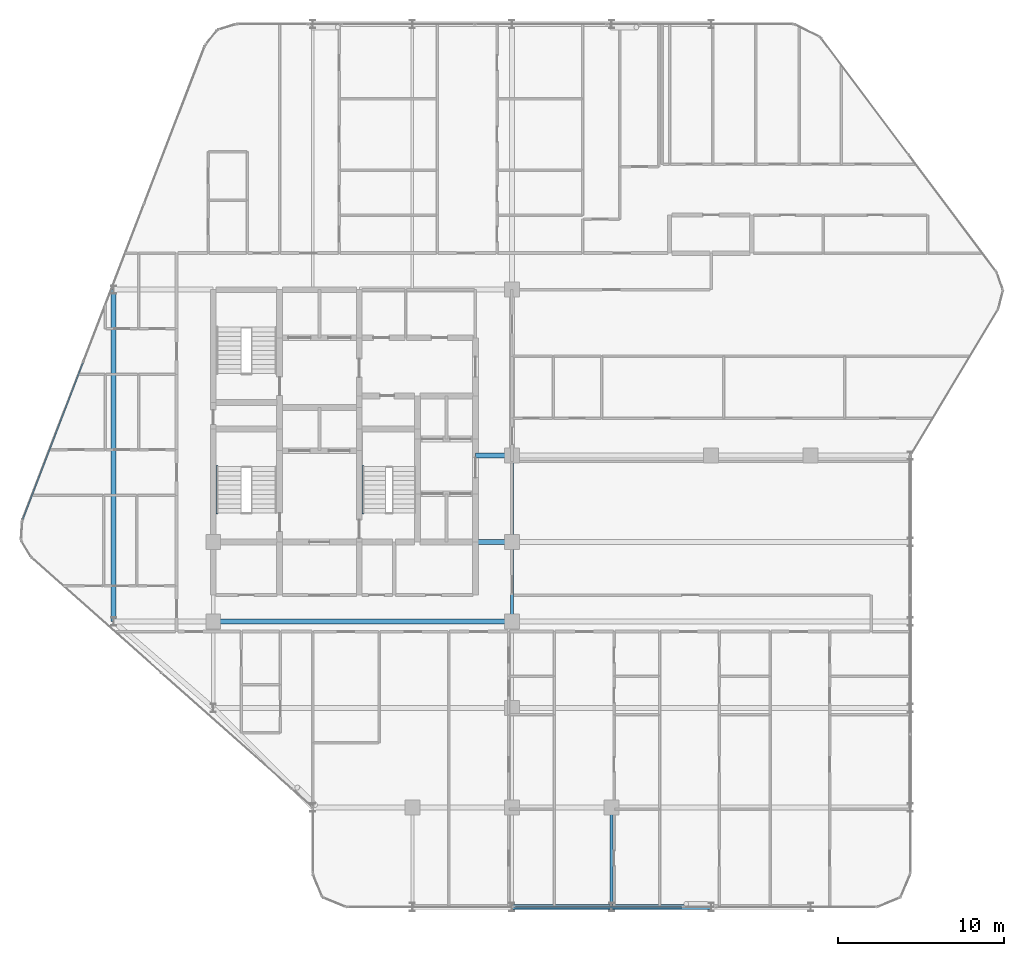
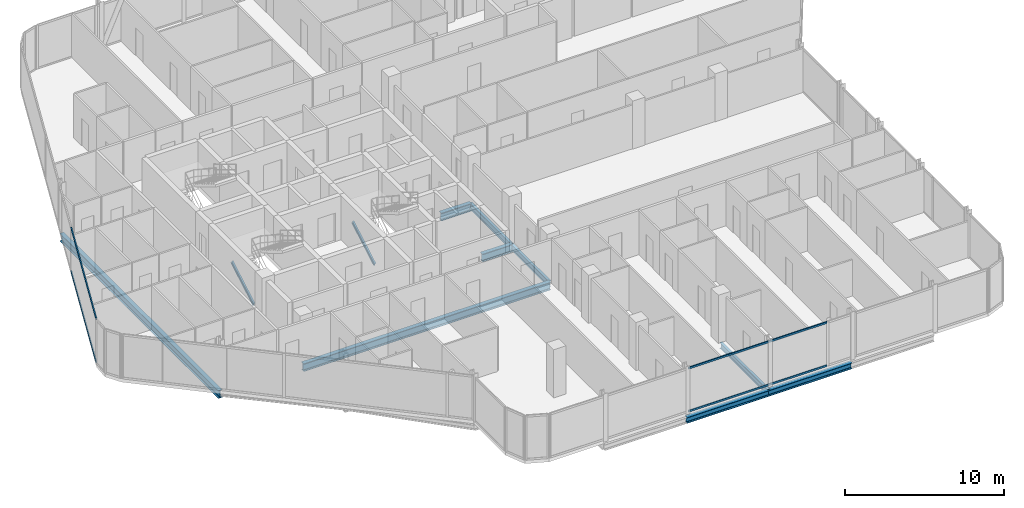
# One storey, part 8 of 32: 9 beams, 6 members, 2 elements without a shape of their own.
"""IFC4 building model written with IfcOpenShell, lengths in metres."""

from ifc_helpers import new_model, si_unit, direction, frame, origin, origin_2d, place, context, subcontext, project, spatial, hollow_rectangle, i_section, extrude, material, layer, layer_set, material_profile, profile_set, type_object, element, aggregate, save


model = new_model("IFC4")

# Units and contexts
model_context = context("Model", 3, precision=1e-05, world=origin(), true_north=direction((0.0, 1.0)))
body_context = subcontext(model_context, "Body", "Model", "MODEL_VIEW")
ifc_project = project(units=[si_unit("LENGTHUNIT", "METRE"), si_unit("AREAUNIT", "SQUARE_METRE"), si_unit("VOLUMEUNIT", "CUBIC_METRE"), si_unit("PLANEANGLEUNIT", "RADIAN"), si_unit("MASSUNIT", "GRAM", prefix="KILO")], contexts=[model_context])

# Site, building, storey
site_placement = place(None, origin())
site = spatial("IfcSite", under=ifc_project, at=site_placement, CompositionType="ELEMENT")
building_placement = place(site_placement, origin())
building = spatial("IfcBuilding", under=site, at=building_placement, Name="Keshet Zoharim Tower", CompositionType="ELEMENT")
storey_placement = place(building_placement, frame((0.0, 0.0, 152.0)))
storey = spatial("IfcBuildingStorey", under=building, at=storey_placement, Name="L37", CompositionType="ELEMENT", Elevation=152.0)

# Beams
ifc_material_1 = material(Name="Steel S355", Category="steel")
ifc_material_profile_1 = material_profile(ifc_material_1, i_section(OverallWidth=0.300048828125, OverallDepth=0.60009765625, WebThickness=0.015380859375, FlangeThickness=0.030029296875, FilletRadius=0.027099609375, at=origin_2d()), Name="HEB600")
ifc_profile_set_1 = profile_set([ifc_material_profile_1], Name="Steel S355")
beam_type_1 = type_object("IfcBeamType", Name="BM-CLK-HB600", PredefinedType="BEAM", material=ifc_profile_set_1)
for number, where, z_axis, x_axis, name in (
    (1, (30.800048828125, 22.699951171875, -0.614990234375), (1.0, 0.0, 0.0), (0.0, 1.0, 0.0), "L37 Core Wall Link Girder 01"),
    (2, (30.800048828125, 27.89990234375, -0.614990234375), (1.0, 0.0, 0.0), (0.0, 1.0, 0.0), "L37 Core Wall Link Girder 02"),
):
    element("IfcBeam", number, at=place(storey_placement, frame(where, z_axis=z_axis, x_axis=x_axis)), inside=storey, type_object=beam_type_1, Name=name, PredefinedType="BEAM", context=body_context, shape_type="SweptSolid", body=[
        extrude(i_section(OverallWidth=0.300048828125, OverallDepth=0.60009765625, WebThickness=0.015380859375, FlangeThickness=0.030029296875, FilletRadius=0.027099609375, at=origin_2d()), origin(), (0.0, 0.0, 1.0), 2.199951171875),
    ])
ifc_material_profile_2 = material_profile(ifc_material_1, i_section(OverallWidth=0.300048828125, OverallDepth=0.60009765625, WebThickness=0.015380859375, FlangeThickness=0.030029296875, FilletRadius=0.027099609375, at=origin_2d()), Name="HEB600")
ifc_profile_set_2 = profile_set([ifc_material_profile_2], Name="Steel S355")
beam_type_2 = type_object("IfcBeamType", Name="BM-LNG-HB600", PredefinedType="BEAM", material=ifc_profile_set_2)
beam_1_placement = place(storey_placement, frame((15.0, 17.89990234375, -0.614990234375), z_axis=(1.0, 0.0, 0.0), x_axis=(0.0, 1.0, 0.0)))
element("IfcBeam", 3, at=beam_1_placement, inside=storey, type_object=beam_type_2, Name="L37 Primary Girder X-012", PredefinedType="BEAM", context=body_context, shape_type="SweptSolid", body=[
    extrude(i_section(OverallWidth=0.300048828125, OverallDepth=0.60009765625, WebThickness=0.015380859375, FlangeThickness=0.030029296875, FilletRadius=0.027099609375, at=origin_2d()), origin(), (0.0, 0.0, 1.0), 18.0),
])
beam_2_placement = place(storey_placement, frame((9.0, 17.89990234375, -0.614990234375), z_axis=(0.0, 1.0, 0.0), x_axis=(-1.0, 0.0, 0.0)))
element("IfcBeam", 4, at=beam_2_placement, inside=storey, type_object=beam_type_2, Name="L37 Primary Girder Y-001", PredefinedType="BEAM", context=body_context, shape_type="SweptSolid", body=[
    extrude(i_section(OverallWidth=0.300048828125, OverallDepth=0.60009765625, WebThickness=0.015380859375, FlangeThickness=0.030029296875, FilletRadius=0.027099609375, at=origin_2d()), origin(), (0.0, 0.0, 1.0), 20.0),
])
ifc_material_profile_3 = material_profile(ifc_material_1, i_section(OverallWidth=0.18994140625, OverallDepth=0.449951171875, WebThickness=0.009521484375, FlangeThickness=0.0146484375, FilletRadius=0.02099609375, at=origin_2d()), Name="IPE450")
ifc_profile_set_3 = profile_set([ifc_material_profile_3], Name="Steel S355")
beam_type_3 = type_object("IfcBeamType", Name="BM-PRI-IP450", PredefinedType="BEAM", material=ifc_profile_set_3)
beam_3_placement = place(storey_placement, frame((33.0, 17.89990234375, -0.5400390625), z_axis=(0.0, 1.0, 0.0), x_axis=(-1.0, 0.0, 0.0)))
element("IfcBeam", 5, at=beam_3_placement, inside=storey, type_object=beam_type_3, Name="L37 Primary Girder Y-008", PredefinedType="BEAM", context=body_context, shape_type="SweptSolid", body=[
    extrude(i_section(OverallWidth=0.18994140625, OverallDepth=0.449951171875, WebThickness=0.009521484375, FlangeThickness=0.0146484375, FilletRadius=0.02099609375, at=origin_2d()), origin(), (0.0, 0.0, 1.0), 4.800048828125),
])
beam_4_placement = place(storey_placement, frame((33.0, 22.699951171875, -0.5400390625), z_axis=(0.0, 1.0, 0.0), x_axis=(-1.0, 0.0, 0.0)))
element("IfcBeam", 6, at=beam_4_placement, inside=storey, type_object=beam_type_3, Name="L37 Primary Girder Y-009", PredefinedType="BEAM", context=body_context, shape_type="SweptSolid", body=[
    extrude(i_section(OverallWidth=0.18994140625, OverallDepth=0.449951171875, WebThickness=0.009521484375, FlangeThickness=0.0146484375, FilletRadius=0.02099609375, at=origin_2d()), origin(), (0.0, 0.0, 1.0), 5.199951171875),
])
beam_5_placement = place(storey_placement, frame((39.0, 0.699951171875, -0.5400390625), z_axis=(0.0, 1.0, 0.0), x_axis=(-1.0, 0.0, 0.0)))
element("IfcBeam", 7, at=beam_5_placement, inside=storey, type_object=beam_type_3, Name="L37 Primary Girder Y-012", PredefinedType="BEAM", context=body_context, shape_type="SweptSolid", body=[
    extrude(i_section(OverallWidth=0.18994140625, OverallDepth=0.449951171875, WebThickness=0.009521484375, FlangeThickness=0.0146484375, FilletRadius=0.02099609375, at=origin_2d()), origin(), (0.0, 0.0, 1.0), 6.0),
])
ifc_material_profile_4 = material_profile(ifc_material_1, i_section(OverallWidth=0.300048828125, OverallDepth=0.449951171875, WebThickness=0.013916015625, FlangeThickness=0.02587890625, FilletRadius=0.027099609375, at=origin_2d()), Name="HEB450")
ifc_profile_set_4 = profile_set([ifc_material_profile_4], Name="Steel S355")
beam_type_4 = type_object("IfcBeamType", Name="BM-WEB-HB450", PredefinedType="BEAM", material=ifc_profile_set_4)
for number, where, z_axis, x_axis, name in (
    (8, (33.0, 0.699951171875, -0.5400390625), (1.0, 0.0, 0.0), (0.0, 1.0, 0.0), "L37 Primary Girder X-002"),
    (9, (39.0, 0.699951171875, -0.5400390625), (1.0, 0.0, 0.0), (0.0, 1.0, 0.0), "L37 Primary Girder X-003"),
):
    element("IfcBeam", number, at=place(storey_placement, frame(where, z_axis=z_axis, x_axis=x_axis)), inside=storey, type_object=beam_type_4, Name=name, PredefinedType="BEAM", context=body_context, shape_type="SweptSolid", body=[
        extrude(i_section(OverallWidth=0.300048828125, OverallDepth=0.449951171875, WebThickness=0.013916015625, FlangeThickness=0.02587890625, FilletRadius=0.027099609375, at=origin_2d()), origin(), (0.0, 0.0, 1.0), 6.0),
    ])

# Curtain wall, members
ifc_material_2 = material(Name="Aluminium 6063-T6", Category="aluminium")
ifc_layer = layer(ifc_material_2, 0.159912109375)
ifc_layer_set = layer_set([ifc_layer], Name="Aluminium 6063-T6")
curtain_wall_type = type_object("IfcCurtainWallType", Name="CW-SYS-03", PredefinedType="NOTDEFINED", material=ifc_layer_set)
curtain_wall_1_placement = place(storey_placement, origin())
curtain_wall_1 = element("IfcCurtainWall", 10, at=curtain_wall_1_placement, inside=storey, type_object=curtain_wall_type, Name="L37 Unitised Curtain Wall 03 Part 3", PredefinedType="NOTDEFINED")
ifc_material_profile_5 = material_profile(ifc_material_2, hollow_rectangle(XDim=0.080078125, YDim=0.139892578125, WallThickness=0.00390625, at=origin_2d()), Name="TRN-80x140")
ifc_profile_set_5 = profile_set([ifc_material_profile_5], Name="Aluminium 6063-T6")
member_type_1 = type_object("IfcMemberType", Name="CWT-T14", PredefinedType="USERDEFINED", material=ifc_profile_set_5)
member_1_placement = place(storey_placement, frame((43.251953125, 0.699951171875, 0.034912109375), z_axis=(-1.0, 0.0, 0.0), x_axis=(0.0, -1.0, 0.0)))
member_1 = element("IfcMember", 11, at=member_1_placement, type_object=member_type_1, Name="CW-03 transom 1.1", ObjectType="TRANSOM", PredefinedType="USERDEFINED", context=body_context, shape_type="SweptSolid", body=[
    extrude(hollow_rectangle(XDim=0.080078125, YDim=0.139892578125, WallThickness=0.00390625, at=origin_2d()), origin(), (0.0, 0.0, 1.0), 10.091064453125),
])
member_2_placement = place(storey_placement, frame((43.251953125, 0.699951171875, 3.35009765625), z_axis=(-1.0, 0.0, 0.0), x_axis=(0.0, -1.0, 0.0)))
member_2 = element("IfcMember", 12, at=member_2_placement, type_object=member_type_1, Name="CW-03 transom 1.2", ObjectType="TRANSOM", PredefinedType="USERDEFINED", context=body_context, shape_type="SweptSolid", body=[
    extrude(hollow_rectangle(XDim=0.080078125, YDim=0.139892578125, WallThickness=0.00390625, at=origin_2d()), origin(), (0.0, 0.0, 1.0), 10.091064453125),
])
aggregate(curtain_wall_1, [member_1, member_2])

curtain_wall_2_placement = place(storey_placement, origin())
curtain_wall_2 = element("IfcCurtainWall", 13, at=curtain_wall_2_placement, inside=storey, type_object=curtain_wall_type, Name="L37 Unitised Curtain Wall 10", PredefinedType="NOTDEFINED")
member_3_placement = place(storey_placement, frame((3.522216796875, 24.058349609375, 0.034912109375), z_axis=(0.358993631387, 0.93334000912, 0.0), x_axis=(-0.93334000912, 0.358993631387, 0.0)))
member_3 = element("IfcMember", 14, at=member_3_placement, type_object=member_type_1, Name="CW-03 transom 1.1", ObjectType="TRANSOM", PredefinedType="USERDEFINED", context=body_context, shape_type="SweptSolid", body=[
    extrude(hollow_rectangle(XDim=0.080078125, YDim=0.139892578125, WallThickness=0.00390625, at=origin_2d()), origin(), (0.0, 0.0, 1.0), 10.1181640625),
])
member_4_placement = place(storey_placement, frame((3.522216796875, 24.058349609375, 3.35009765625), z_axis=(0.358993631387, 0.93334000912, 0.0), x_axis=(-0.93334000912, 0.358993631387, 0.0)))
member_4 = element("IfcMember", 15, at=member_4_placement, type_object=member_type_1, Name="CW-03 transom 1.2", ObjectType="TRANSOM", PredefinedType="USERDEFINED", context=body_context, shape_type="SweptSolid", body=[
    extrude(hollow_rectangle(XDim=0.080078125, YDim=0.139892578125, WallThickness=0.00390625, at=origin_2d()), origin(), (0.0, 0.0, 1.0), 10.1181640625),
])
aggregate(curtain_wall_2, [member_3, member_4])

# Members
ifc_material_profile_6 = material_profile(ifc_material_1, i_section(OverallWidth=0.1201171875, OverallDepth=0.239990234375, WebThickness=0.006103515625, FlangeThickness=0.009765625, FilletRadius=0.014892578125, at=origin_2d()), Name="IPE240")
ifc_profile_set_6 = profile_set([ifc_material_profile_6], Name="Steel S355")
member_type_2 = type_object("IfcMemberType", Name="MB-STRG-IP240", PredefinedType="STRINGER", material=ifc_profile_set_6)
for number, where, z_axis, x_axis, name in (
    (16, (15.22998046875, 24.43994140625, 0.1201171875), (0.0, 0.866928350432, 0.498432779035), (-1.0, 0.0, 0.0), "L37 ST-01 Flight Steel Stringer"),
    (17, (24.030029296875, 24.43994140625, 0.1201171875), (0.0, 0.866928350432, 0.498432779035), (-1.0, 0.0, 0.0), "L37 ST-03 Flight Steel Stringer"),
):
    element("IfcMember", number, at=place(storey_placement, frame(where, z_axis=z_axis, x_axis=x_axis)), inside=storey, type_object=member_type_2, Name=name, PredefinedType="STRINGER", context=body_context, shape_type="SweptSolid", body=[
        extrude(i_section(OverallWidth=0.1201171875, OverallDepth=0.239990234375, WebThickness=0.006103515625, FlangeThickness=0.009765625, FilletRadius=0.014892578125, at=origin_2d()), origin(), (0.0, 0.0, 1.0), 3.229736328125),
    ])

save(model, "model.ifc")
